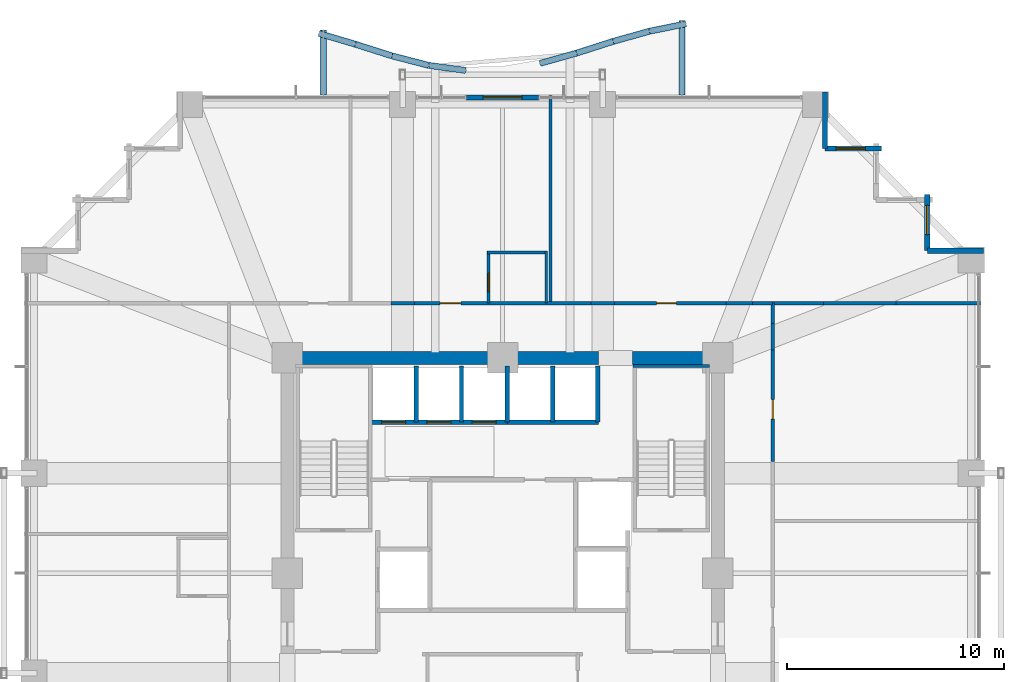
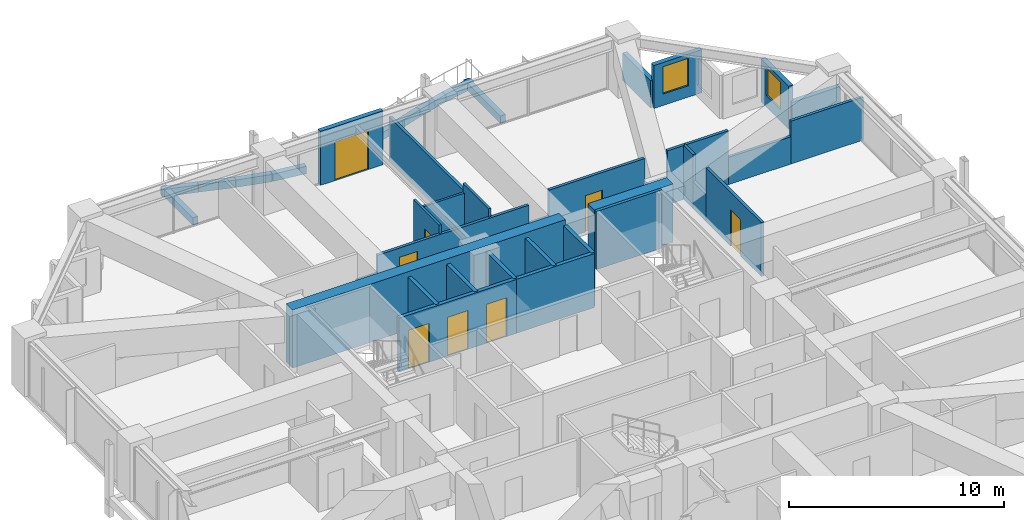
# One storey, part 34 of 37: 41 walls, 8 doors, 2 windows, 10 openings.
"""IFC4 building model written with IfcOpenShell, lengths in metres."""

from ifc_helpers import new_model, si_unit, direction, frame, frame_2d, origin, place, context, subcontext, project, spatial, rectangle, extrude, material, layer, layer_set, type_object, element, fill, save


model = new_model("IFC4")

# Units and contexts
model_context = context("Model", 3, precision=1e-05, world=origin(), true_north=direction((0.0, 1.0)))
body_context = subcontext(model_context, "Body", "Model", "MODEL_VIEW")
ifc_project = project(units=[si_unit("LENGTHUNIT", "METRE"), si_unit("AREAUNIT", "SQUARE_METRE"), si_unit("VOLUMEUNIT", "CUBIC_METRE"), si_unit("PLANEANGLEUNIT", "RADIAN"), si_unit("MASSUNIT", "GRAM", prefix="KILO")], contexts=[model_context])

# Site, building, storey
site_placement = place(None, origin())
site = spatial("IfcSite", under=ifc_project, at=site_placement, CompositionType="ELEMENT")
building_placement = place(site_placement, origin())
building = spatial("IfcBuilding", under=site, at=building_placement, Name="Kolvaren Belvedere", CompositionType="ELEMENT")
storey_placement = place(building_placement, frame((0.0, 0.0, 43.60009765625)))
storey = spatial("IfcBuildingStorey", under=building, at=storey_placement, Name="L12", CompositionType="ELEMENT", Elevation=43.60009765625)

# Walls
ifc_material_1 = material(Name="Concrete C60/75", Category="concrete")
ifc_layer_1 = layer(ifc_material_1, 0.60009765625)
ifc_layer_set_1 = layer_set([ifc_layer_1], Name="Concrete C60/75")
wall_type_1 = type_object("IfcWallType", Name="CW-CORE-600", PredefinedType="SHEAR", material=ifc_layer_set_1)
wall_1_placement = place(storey_placement, frame((-10.199951171875, 9.89990234375, 0.0), z_axis=(0.0, 0.0, 1.0), x_axis=(1.0, 0.0, 0.0)))
element("IfcWall", 1, at=wall_1_placement, inside=storey, type_object=wall_type_1, Name="L12 North Core Shear Wall 1", PredefinedType="SHEAR", context=body_context, shape_type="SweptSolid", body=[
    extrude(rectangle(XDim=14.619873046875, YDim=0.60009765625, at=frame_2d((7.31005859375, 0.0))), origin(), (0.0, 0.0, 1.0), 3.2998046875),
])
wall_2_placement = place(storey_placement, frame((5.97998046875, 9.89990234375, 0.0), z_axis=(0.0, 0.0, 1.0), x_axis=(1.0, 0.0, 0.0)))
element("IfcWall", 2, at=wall_2_placement, inside=storey, type_object=wall_type_1, Name="L12 North Core Shear Wall 2", PredefinedType="SHEAR", context=body_context, shape_type="SweptSolid", body=[
    extrude(rectangle(XDim=4.219970703125, YDim=0.60009765625, at=frame_2d((2.10986328125, 0.0))), origin(), (0.0, 0.0, 1.0), 3.2998046875),
])
ifc_material_2 = material(Name="Concrete C50/60", Category="concrete")
ifc_layer_2 = layer(ifc_material_2, 0.159912109375)
ifc_layer_set_2 = layer_set([ifc_layer_2], Name="Concrete C50/60")
wall_type_2 = type_object("IfcWallType", Name="CW-STAIR-160", PredefinedType="SHEAR", material=ifc_layer_set_2)
wall_3_placement = place(storey_placement, frame((6.0, 9.530029296875, 0.0), z_axis=(0.0, 0.0, 1.0), x_axis=(1.0, 0.0, 0.0)))
element("IfcWall", 3, at=wall_3_placement, inside=storey, type_object=wall_type_2, Name="L12 Stair ST-2 North Shear Wall", PredefinedType="SHEAR", context=body_context, shape_type="SweptSolid", body=[
    extrude(rectangle(XDim=3.52001953125, YDim=0.159912109375, at=frame_2d((1.760009765625, 0.0))), origin(), (0.0, 0.0, 1.0), 3.2998046875),
])
ifc_material_3 = material(Name="Gypsum fire-rated partition assembly", Category="gypsum")
ifc_layer_3 = layer(ifc_material_3, 0.14990234375)
ifc_layer_set_3 = layer_set([ifc_layer_3], Name="Gypsum fire-rated partition assembly")
wall_type_3 = type_object("IfcWallType", Name="WL-CORR-150", PredefinedType="PARTITIONING", material=ifc_layer_set_3)
wall_4_placement = place(storey_placement, frame((-5.14208984375, 12.419921875, 0.0), z_axis=(0.0, 0.0, 1.0), x_axis=(1.0, 0.0, 0.0)))
element("IfcWall", 4, at=wall_4_placement, inside=storey, type_object=wall_type_3, Name="L12 North Corridor Wall", PredefinedType="PARTITIONING", context=body_context, shape_type="SweptSolid", body=[
    extrude(rectangle(XDim=1.083984375, YDim=0.14990234375, at=frame_2d((0.5419921875, 0.0))), origin(), (0.0, 0.0, 1.0), 1.544921875),
])

# Wall, opening, door
wall_5_placement = place(storey_placement, frame((-4.05810546875, 12.419921875, 0.0), z_axis=(0.0, 0.0, 1.0), x_axis=(1.0, 0.0, 0.0)))
wall_5 = element("IfcWall", 5, at=wall_5_placement, inside=storey, type_object=wall_type_3, Name="L12 North Corridor Wall", PredefinedType="PARTITIONING", context=body_context, shape_type="SweptSolid", body=[
    extrude(rectangle(XDim=8.1162109375, YDim=0.14990234375, at=frame_2d((4.05810546875, 0.0))), origin(), (0.0, 0.0, 1.0), 2.5849609375),
])
opening_1_placement = place(wall_5_placement, frame((1.185546875, 0.0, 0.0)))
opening_1 = element("IfcOpeningElement", 6, at=opening_1_placement, cuts=wall_5, Name="Opening D-FD60", PredefinedType="OPENING", context=body_context, shape_type="SweptSolid", body=[
    extrude(rectangle(XDim=0.949951171875, YDim=2.06005859375, at=frame_2d((0.47509765625, 1.030029296875))), frame((0.0, 0.0849609375, 0.0), z_axis=(0.0, -1.0, 0.0), x_axis=(1.0, 0.0, 0.0)), (0.0, 0.0, 1.0), 0.169921875),
])
ifc_material_4 = material(Name="Acoustic white-oak fire door leaf", Category="timber")
door_type_1 = type_object("IfcDoorType", Name="DR-FD60-950", OperationType="NOTDEFINED", PredefinedType="DOOR", material=ifc_material_4)
door_1_placement = place(opening_1_placement, origin())
door_1 = element("IfcDoor", 7, at=door_1_placement, inside=storey, type_object=door_type_1, Name="L12 Botanical Hospitality Suite 1211 Entry Door", OperationType="SINGLE_SWING_RIGHT", OverallHeight=2.06005859375, OverallWidth=0.949951171875, PredefinedType="DOOR", context=body_context, shape_type="SweptSolid", body=[
    extrude(rectangle(XDim=0.949951171875, YDim=2.06005859375, at=frame_2d((0.47509765625, 1.030029296875))), frame((0.0, 0.02490234375, 0.0), z_axis=(0.0, -1.0, 0.0), x_axis=(1.0, 0.0, 0.0)), (0.0, 0.0, 1.0), 0.050048828125),
])
fill(opening_1, door_1)

# Wall
wall_6_placement = place(storey_placement, frame((4.05810546875, 12.419921875, 0.0), z_axis=(0.0, 0.0, 1.0), x_axis=(1.0, 0.0, 0.0)))
element("IfcWall", 8, at=wall_6_placement, inside=storey, type_object=wall_type_3, Name="L12 North Corridor Wall", PredefinedType="PARTITIONING", context=body_context, shape_type="SweptSolid", body=[
    extrude(rectangle(XDim=1.083984375, YDim=0.14990234375, at=frame_2d((0.5419921875, 0.0))), origin(), (0.0, 0.0, 1.0), 1.544921875),
])

# Wall, opening, door
wall_7_placement = place(storey_placement, frame((5.14208984375, 12.419921875, 0.0), z_axis=(0.0, 0.0, 1.0), x_axis=(1.0, 0.0, 0.0)))
wall_7 = element("IfcWall", 9, at=wall_7_placement, inside=storey, type_object=wall_type_3, Name="L12 North Corridor Wall", PredefinedType="PARTITIONING", context=body_context, shape_type="SweptSolid", body=[
    extrude(rectangle(XDim=5.118896484375, YDim=0.14990234375, at=frame_2d((2.5595703125, 0.0))), origin(), (0.0, 0.0, 1.0), 3.059814453125),
])
opening_2_placement = place(wall_7_placement, frame((1.943115234375, 0.0, 0.0)))
opening_2 = element("IfcOpeningElement", 10, at=opening_2_placement, cuts=wall_7, Name="Opening D-INT90", PredefinedType="OPENING", context=body_context, shape_type="SweptSolid", body=[
    extrude(rectangle(XDim=0.89990234375, YDim=2.06005859375, at=frame_2d((0.449951171875, 1.030029296875))), frame((0.0, 0.0849609375, 0.0), z_axis=(0.0, -1.0, 0.0), x_axis=(1.0, 0.0, 0.0)), (0.0, 0.0, 1.0), 0.169921875),
])
ifc_material_5 = material(Name="Stained Pacific white oak", Category="timber")
door_type_2 = type_object("IfcDoorType", Name="DR-INT-900", OperationType="NOTDEFINED", PredefinedType="DOOR", material=ifc_material_5)
door_2_placement = place(opening_2_placement, origin())
door_2 = element("IfcDoor", 11, at=door_2_placement, inside=storey, type_object=door_type_2, Name="L12 Lounge 1212 Door", OperationType="SINGLE_SWING_LEFT", OverallHeight=2.06005859375, OverallWidth=0.89990234375, PredefinedType="DOOR", context=body_context, shape_type="SweptSolid", body=[
    extrude(rectangle(XDim=0.89990234375, YDim=2.06005859375, at=frame_2d((0.449951171875, 1.030029296875))), frame((0.0, 0.02490234375, 0.0), z_axis=(0.0, -1.0, 0.0), x_axis=(1.0, 0.0, 0.0)), (0.0, 0.0, 1.0), 0.050048828125),
])
fill(opening_2, door_2)

# Walls
wall_8_placement = place(storey_placement, frame((10.260986328125, 12.419921875, 0.0), z_axis=(0.0, 0.0, 1.0), x_axis=(1.0, 0.0, 0.0)))
element("IfcWall", 12, at=wall_8_placement, inside=storey, type_object=wall_type_3, Name="L12 North Corridor Wall", PredefinedType="PARTITIONING", context=body_context, shape_type="SweptSolid", body=[
    extrude(rectangle(XDim=1.224853515625, YDim=0.14990234375, at=frame_2d((0.6123046875, 0.0))), origin(), (0.0, 0.0, 1.0), 1.544921875),
])
wall_9_placement = place(storey_placement, frame((11.48583984375, 12.419921875, 0.0), z_axis=(0.0, 0.0, 1.0), x_axis=(1.0, 0.0, 0.0)))
element("IfcWall", 13, at=wall_9_placement, inside=storey, type_object=wall_type_3, Name="L12 North Corridor Wall", PredefinedType="PARTITIONING", context=body_context, shape_type="SweptSolid", body=[
    extrude(rectangle(XDim=0.93408203125, YDim=0.14990234375, at=frame_2d((0.467041015625, 0.0))), origin(), (0.0, 0.0, 1.0), 3.059814453125),
])

# Wall, opening, door
wall_10_placement = place(storey_placement, frame((12.419921875, 5.14208984375, 0.0), z_axis=(0.0, 0.0, 1.0), x_axis=(0.0, 1.0, 0.0)))
wall_10 = element("IfcWall", 14, at=wall_10_placement, inside=storey, type_object=wall_type_3, Name="L12 East Corridor Wall", PredefinedType="PARTITIONING", context=body_context, shape_type="SweptSolid", body=[
    extrude(rectangle(XDim=5.118896484375, YDim=0.14990234375, at=frame_2d((2.5595703125, 0.0))), origin(), (0.0, 0.0, 1.0), 3.059814453125),
])
opening_3_placement = place(wall_10_placement, frame((1.943115234375, 0.0, 0.0)))
opening_3 = element("IfcOpeningElement", 15, at=opening_3_placement, cuts=wall_10, Name="Opening D-INT90", PredefinedType="OPENING", context=body_context, shape_type="SweptSolid", body=[
    extrude(rectangle(XDim=0.89990234375, YDim=2.06005859375, at=frame_2d((0.449951171875, 1.030029296875))), frame((0.0, 0.0849609375, 0.0), z_axis=(0.0, -1.0, 0.0), x_axis=(1.0, 0.0, 0.0)), (0.0, 0.0, 1.0), 0.169921875),
])
door_3_placement = place(opening_3_placement, origin())
door_3 = element("IfcDoor", 16, at=door_3_placement, inside=storey, type_object=door_type_2, Name="L12 Lounge 1206 Door", OperationType="SINGLE_SWING_LEFT", OverallHeight=2.06005859375, OverallWidth=0.89990234375, PredefinedType="DOOR", context=body_context, shape_type="SweptSolid", body=[
    extrude(rectangle(XDim=0.89990234375, YDim=2.06005859375, at=frame_2d((0.449951171875, 1.030029296875))), frame((0.0, 0.02490234375, 0.0), z_axis=(0.0, -1.0, 0.0), x_axis=(1.0, 0.0, 0.0)), (0.0, 0.0, 1.0), 0.050048828125),
])
fill(opening_3, door_3)

# Walls
wall_11_placement = place(storey_placement, frame((12.419921875, 10.260986328125, 0.0), z_axis=(0.0, 0.0, 1.0), x_axis=(0.0, 1.0, 0.0)))
element("IfcWall", 17, at=wall_11_placement, inside=storey, type_object=wall_type_3, Name="L12 East Corridor Wall", PredefinedType="PARTITIONING", context=body_context, shape_type="SweptSolid", body=[
    extrude(rectangle(XDim=1.224853515625, YDim=0.14990234375, at=frame_2d((0.6123046875, 0.0))), origin(), (0.0, 0.0, 1.0), 1.544921875),
])
wall_12_placement = place(storey_placement, frame((12.419921875, 11.48583984375, 0.0), z_axis=(0.0, 0.0, 1.0), x_axis=(0.0, 1.0, 0.0)))
element("IfcWall", 18, at=wall_12_placement, inside=storey, type_object=wall_type_3, Name="L12 East Corridor Wall", PredefinedType="PARTITIONING", context=body_context, shape_type="SweptSolid", body=[
    extrude(rectangle(XDim=0.93408203125, YDim=0.14990234375, at=frame_2d((0.467041015625, 0.0))), origin(), (0.0, 0.0, 1.0), 3.059814453125),
])
ifc_material_6 = material(Name="Insulated pale-metal facade wall assembly", Category="aluminium")
ifc_layer_4 = layer(ifc_material_6, 0.239990234375)
ifc_layer_set_4 = layer_set([ifc_layer_4], Name="Insulated pale-metal facade wall assembly")
wall_type_4 = type_object("IfcWallType", Name="WL-EXT-240", PredefinedType="STANDARD", material=ifc_layer_set_4)
wall_13_placement = place(storey_placement, frame((19.530029296875, 14.830078125, 0.0), z_axis=(0.0, 0.0, 1.0), x_axis=(1.0, 0.0, 0.0)))
element("IfcWall", 19, at=wall_13_placement, inside=storey, type_object=wall_type_4, Name="L12 Serrated Corner Facade Wall 9", PredefinedType="STANDARD", context=body_context, shape_type="SweptSolid", body=[
    extrude(rectangle(XDim=2.590087890625, YDim=0.239990234375, at=frame_2d((1.294921875, 0.0))), origin(), (0.0, 0.0, 1.0), 1.554931640625),
])

# Wall, opening, window
wall_14_placement = place(storey_placement, frame((19.530029296875, 17.419921875, 0.0), z_axis=(0.0, 0.0, 1.0), x_axis=(0.0, -1.0, 0.0)))
wall_14 = element("IfcWall", 20, at=wall_14_placement, inside=storey, type_object=wall_type_4, Name="L12 Serrated Corner Facade Wall 10", PredefinedType="STANDARD", context=body_context, shape_type="SweptSolid", body=[
    extrude(rectangle(XDim=2.58984375, YDim=0.239990234375, at=frame_2d((1.294921875, 0.0))), origin(), (0.0, 0.0, 1.0), 2.43896484375),
])
opening_4_placement = place(wall_14_placement, frame((0.5, 0.0, 0.64990234375)))
opening_4 = element("IfcOpeningElement", 21, at=opening_4_placement, cuts=wall_14, Name="Opening W-1350", PredefinedType="OPENING", context=body_context, shape_type="SweptSolid", body=[
    extrude(rectangle(XDim=1.35009765625, YDim=1.550048828125, at=frame_2d((0.675048828125, 0.77490234375))), frame((0.0, 0.1298828125, 0.0), z_axis=(0.0, -1.0, 0.0), x_axis=(1.0, 0.0, 0.0)), (0.0, 0.0, 1.0), 0.260009765625),
])
ifc_material_7 = material(Name="Low-iron triple insulated glass", Category="glass")
window_type = type_object("IfcWindowType", Name="WN-CORN-1350", PartitioningType="SINGLE_PANEL", PredefinedType="WINDOW", material=ifc_material_7)
window_1_placement = place(opening_4_placement, origin())
window_1 = element("IfcWindow", 22, at=window_1_placement, inside=storey, type_object=window_type, Name="L12 Serrated Corner Vision Window 10", OverallHeight=1.550048828125, OverallWidth=1.35009765625, PartitioningType="SINGLE_PANEL", PredefinedType="WINDOW", context=body_context, shape_type="SweptSolid", body=[
    extrude(rectangle(XDim=1.35009765625, YDim=1.550048828125, at=frame_2d((0.675048828125, 0.77490234375))), frame((0.0, 0.030029296875, 0.0), z_axis=(0.0, -1.0, 0.0), x_axis=(1.0, 0.0, 0.0)), (0.0, 0.0, 1.0), 0.06005859375),
])
fill(opening_4, window_1)

wall_15_placement = place(storey_placement, frame((14.830078125, 19.530029296875, 0.0), z_axis=(0.0, 0.0, 1.0), x_axis=(1.0, 0.0, 0.0)))
wall_15 = element("IfcWall", 23, at=wall_15_placement, inside=storey, type_object=wall_type_4, Name="L12 Serrated Corner Facade Wall 13", PredefinedType="STANDARD", context=body_context, shape_type="SweptSolid", body=[
    extrude(rectangle(XDim=2.58984375, YDim=0.239990234375, at=frame_2d((1.294921875, 0.0))), origin(), (0.0, 0.0, 1.0), 2.43896484375),
])
opening_5_placement = place(wall_15_placement, frame((0.5, 0.0, 0.64990234375)))
opening_5 = element("IfcOpeningElement", 24, at=opening_5_placement, cuts=wall_15, Name="Opening W-1350", PredefinedType="OPENING", context=body_context, shape_type="SweptSolid", body=[
    extrude(rectangle(XDim=1.35009765625, YDim=1.550048828125, at=frame_2d((0.675048828125, 0.77490234375))), frame((0.0, 0.1298828125, 0.0), z_axis=(0.0, -1.0, 0.0), x_axis=(1.0, 0.0, 0.0)), (0.0, 0.0, 1.0), 0.260009765625),
])
window_2_placement = place(opening_5_placement, origin())
window_2 = element("IfcWindow", 25, at=window_2_placement, inside=storey, type_object=window_type, Name="L12 Serrated Corner Vision Window 13", OverallHeight=1.550048828125, OverallWidth=1.35009765625, PartitioningType="SINGLE_PANEL", PredefinedType="WINDOW", context=body_context, shape_type="SweptSolid", body=[
    extrude(rectangle(XDim=1.35009765625, YDim=1.550048828125, at=frame_2d((0.675048828125, 0.77490234375))), frame((0.0, 0.030029296875, 0.0), z_axis=(0.0, -1.0, 0.0), x_axis=(1.0, 0.0, 0.0)), (0.0, 0.0, 1.0), 0.06005859375),
])
fill(opening_5, window_2)

# Wall
wall_16_placement = place(storey_placement, frame((14.830078125, 22.1201171875, 0.0), z_axis=(0.0, 0.0, 1.0), x_axis=(0.0, -1.0, 0.0)))
element("IfcWall", 26, at=wall_16_placement, inside=storey, type_object=wall_type_4, Name="L12 Serrated Corner Facade Wall 14", PredefinedType="STANDARD", context=body_context, shape_type="SweptSolid", body=[
    extrude(rectangle(XDim=2.590087890625, YDim=0.239990234375, at=frame_2d((1.294921875, 0.0))), origin(), (0.0, 0.0, 1.0), 1.554931640625),
])

# Wall, opening, door
wall_17_placement = place(storey_placement, frame((-1.679931640625, 21.8798828125, 0.0), z_axis=(0.0, 0.0, 1.0), x_axis=(1.0, 0.0, 0.0)))
wall_17 = element("IfcWall", 27, at=wall_17_placement, inside=storey, type_object=wall_type_4, Name="L12 North Terrace Portal Wall", PredefinedType="STANDARD", context=body_context, shape_type="SweptSolid", body=[
    extrude(rectangle(XDim=3.35986328125, YDim=0.239990234375, at=frame_2d((1.679931640625, 0.0))), origin(), (0.0, 0.0, 1.0), 3.059814453125),
])
opening_6_placement = place(wall_17_placement, frame((0.780029296875, 0.0, 0.0)))
opening_6 = element("IfcOpeningElement", 28, at=opening_6_placement, cuts=wall_17, Name="Opening DB-1800", PredefinedType="OPENING", context=body_context, shape_type="SweptSolid", body=[
    extrude(rectangle(XDim=1.800048828125, YDim=2.199951171875, at=frame_2d((0.89990234375, 1.10009765625))), frame((0.0, 0.1298828125, 0.0), z_axis=(0.0, -1.0, 0.0), x_axis=(1.0, 0.0, 0.0)), (0.0, 0.0, 1.0), 0.260009765625),
])
ifc_material_8 = material(Name="Thermally broken pale-metal aluminium & low-iron glass", Category="aluminium")
door_type_3 = type_object("IfcDoorType", Name="DR-BAL-1800", OperationType="DOUBLE_DOOR_SLIDING", PredefinedType="DOOR", material=ifc_material_8)
door_4_placement = place(opening_6_placement, origin())
door_4 = element("IfcDoor", 29, at=door_4_placement, inside=storey, type_object=door_type_3, Name="L12 North Planted Terrace Sliding Door", OperationType="DOUBLE_DOOR_SLIDING", OverallHeight=2.199951171875, OverallWidth=1.800048828125, PredefinedType="DOOR", context=body_context, shape_type="SweptSolid", body=[
    extrude(rectangle(XDim=1.800048828125, YDim=2.199951171875, at=frame_2d((0.89990234375, 1.10009765625))), frame((0.0, 0.02490234375, 0.0), z_axis=(0.0, -1.0, 0.0), x_axis=(1.0, 0.0, 0.0)), (0.0, 0.0, 1.0), 0.050048828125),
])
fill(opening_6, door_4)

# Walls
ifc_material_9 = material(Name="Gypsum acoustic partition assembly", Category="gypsum")
ifc_layer_5 = layer(ifc_material_9, 0.14990234375)
ifc_layer_set_5 = layer_set([ifc_layer_5], Name="Gypsum acoustic partition assembly")
wall_type_5 = type_object("IfcWallType", Name="WL-PART-150", PredefinedType="PARTITIONING", material=ifc_layer_set_5)
wall_18_placement = place(storey_placement, frame((12.419921875, 12.419921875, 0.0), z_axis=(0.0, 0.0, 1.0), x_axis=(1.0, 0.0, 0.0)))
element("IfcWall", 30, at=wall_18_placement, inside=storey, type_object=wall_type_5, Name="L12 Wing Divider PW-L12-QNE", PredefinedType="PARTITIONING", context=body_context, shape_type="SweptSolid", body=[
    extrude(rectangle(XDim=2.327880859375, YDim=0.14990234375, at=frame_2d((1.1640625, 0.0))), origin(), (0.0, 0.0, 1.0), 3.059814453125),
])
wall_19_placement = place(storey_placement, frame((14.747802734375, 12.419921875, 0.0), z_axis=(0.0, 0.0, 1.0), x_axis=(1.0, 0.0, 0.0)))
element("IfcWall", 31, at=wall_19_placement, inside=storey, type_object=wall_type_5, Name="L12 Wing Divider PW-L12-QNE", PredefinedType="PARTITIONING", context=body_context, shape_type="SweptSolid", body=[
    extrude(rectangle(XDim=3.352294921875, YDim=0.14990234375, at=frame_2d((1.67626953125, 0.0))), origin(), (0.0, 0.0, 1.0), 1.544921875),
])
wall_20_placement = place(storey_placement, frame((18.10009765625, 12.419921875, 0.0), z_axis=(0.0, 0.0, 1.0), x_axis=(1.0, 0.0, 0.0)))
element("IfcWall", 32, at=wall_20_placement, inside=storey, type_object=wall_type_5, Name="L12 Wing Divider PW-L12-QNE", PredefinedType="PARTITIONING", context=body_context, shape_type="SweptSolid", body=[
    extrude(rectangle(XDim=3.8798828125, YDim=0.14990234375, at=frame_2d((1.93994140625, 0.0))), origin(), (0.0, 0.0, 1.0), 2.428955078125),
])
wall_21_placement = place(storey_placement, frame((2.199951171875, 12.419921875, 0.0), z_axis=(0.0, 0.0, 1.0), x_axis=(0.0, 1.0, 0.0)))
element("IfcWall", 33, at=wall_21_placement, inside=storey, type_object=wall_type_5, Name="L12 North Suite Demising Wall 2", PredefinedType="PARTITIONING", context=body_context, shape_type="SweptSolid", body=[
    extrude(rectangle(XDim=9.56005859375, YDim=0.14990234375, at=frame_2d((4.780029296875, 0.0))), origin(), (0.0, 0.0, 1.0), 2.428955078125),
])
ifc_material_10 = material(Name="Precast concrete C40/50", Category="concrete")
ifc_layer_6 = layer(ifc_material_10, 0.300048828125)
ifc_layer_set_6 = layer_set([ifc_layer_6], Name="Precast concrete C40/50")
wall_type_6 = type_object("IfcWallType", Name="WL-PLANTER-300", PredefinedType="PARAPET", material=ifc_layer_set_6)
wall_22_placement = place(storey_placement, frame((8.239990234375, 22.0, -0.06005859375), z_axis=(0.0, 0.0, 1.0), x_axis=(0.0, 1.0, 0.0)))
element("IfcWall", 34, at=wall_22_placement, inside=storey, type_object=wall_type_6, Name="L12 Precast Structural Planter Wall BAL-N-11", PredefinedType="PARAPET", context=body_context, shape_type="SweptSolid", body=[
    extrude(rectangle(XDim=3.419921875, YDim=0.280029296875, at=frame_2d((1.7099609375, 0.0))), origin(), (0.0, 0.0, 1.0), 0.419921875),
])
wall_23_placement = place(storey_placement, frame((8.431884765625, 25.26318359375, -0.06005859375), z_axis=(0.0, 0.0, 1.0), x_axis=(-0.980067977123, -0.198662427795, 0.0)))
element("IfcWall", 35, at=wall_23_placement, inside=storey, type_object=wall_type_6, Name="L12 Precast Structural Planter Wall BAL-N-12", PredefinedType="PARAPET", context=body_context, shape_type="SweptSolid", body=[
    extrude(rectangle(XDim=1.71435546875, YDim=0.280029296875, at=frame_2d((0.857177734375, 0.0))), origin(), (0.0, 0.0, 1.0), 0.419921875),
])
wall_24_placement = place(storey_placement, frame((6.76318359375, 24.92529296875, -0.06005859375), z_axis=(0.0, 0.0, 1.0), x_axis=(-0.962916043401, -0.269801210823, 0.0)))
element("IfcWall", 36, at=wall_24_placement, inside=storey, type_object=wall_type_6, Name="L12 Precast Structural Planter Wall BAL-N-13", PredefinedType="PARAPET", context=body_context, shape_type="SweptSolid", body=[
    extrude(rectangle(XDim=1.74462890625, YDim=0.280029296875, at=frame_2d((0.872314453125, 0.0))), origin(), (0.0, 0.0, 1.0), 0.419921875),
])
wall_25_placement = place(storey_placement, frame((5.088623046875, 24.456298828125, -0.06005859375), z_axis=(0.0, 0.0, 1.0), x_axis=(-0.952461105499, -0.304660208284, 0.0)))
element("IfcWall", 37, at=wall_25_placement, inside=storey, type_object=wall_type_6, Name="L12 Precast Structural Planter Wall BAL-N-14", PredefinedType="PARAPET", context=body_context, shape_type="SweptSolid", body=[
    extrude(rectangle(XDim=1.763671875, YDim=0.280029296875, at=frame_2d((0.8818359375, 0.0))), origin(), (0.0, 0.0, 1.0), 0.419921875),
])
wall_26_placement = place(storey_placement, frame((3.4033203125, 23.917236328125, -0.06005859375), z_axis=(0.0, 0.0, 1.0), x_axis=(-0.962926227834, -0.269764860108, 0.0)))
element("IfcWall", 38, at=wall_26_placement, inside=storey, type_object=wall_type_6, Name="L12 Precast Structural Planter Wall BAL-N-15", PredefinedType="PARAPET", context=body_context, shape_type="SweptSolid", body=[
    extrude(rectangle(XDim=1.744873046875, YDim=0.280029296875, at=frame_2d((0.87255859375, 0.0))), origin(), (0.0, 0.0, 1.0), 0.419921875),
])
wall_27_placement = place(storey_placement, frame((-1.70166015625, 23.12060546875, -0.06005859375), z_axis=(0.0, 0.0, 1.0), x_axis=(-0.990855562068, 0.134926850989, 0.0)))
element("IfcWall", 39, at=wall_27_placement, inside=storey, type_object=wall_type_6, Name="L12 Precast Structural Planter Wall BAL-N-18", PredefinedType="PARAPET", context=body_context, shape_type="SweptSolid", body=[
    extrude(rectangle(XDim=1.695556640625, YDim=0.280029296875, at=frame_2d((0.84765625, 0.0))), origin(), (0.0, 0.0, 1.0), 0.419921875),
])
wall_28_placement = place(storey_placement, frame((-3.400146484375, 23.352783203125, -0.06005859375), z_axis=(0.0, 0.0, 1.0), x_axis=(-0.968098088289, 0.25057152961, 0.0)))
element("IfcWall", 40, at=wall_28_placement, inside=storey, type_object=wall_type_6, Name="L12 Precast Structural Planter Wall BAL-N-19", PredefinedType="PARAPET", context=body_context, shape_type="SweptSolid", body=[
    extrude(rectangle(XDim=1.7353515625, YDim=0.280029296875, at=frame_2d((0.86767578125, 0.0))), origin(), (0.0, 0.0, 1.0), 0.419921875),
])
wall_29_placement = place(storey_placement, frame((-5.08837890625, 23.789794921875, -0.06005859375), z_axis=(0.0, 0.0, 1.0), x_axis=(-0.953142020151, 0.302523204768, 0.0)))
element("IfcWall", 41, at=wall_29_placement, inside=storey, type_object=wall_type_6, Name="L12 Precast Structural Planter Wall BAL-N-20", PredefinedType="PARAPET", context=body_context, shape_type="SweptSolid", body=[
    extrude(rectangle(XDim=1.762451171875, YDim=0.280029296875, at=frame_2d((0.88134765625, 0.0))), origin(), (0.0, 0.0, 1.0), 0.419921875),
])
wall_30_placement = place(storey_placement, frame((-6.765625, 24.322021484375, -0.06005859375), z_axis=(0.0, 0.0, 1.0), x_axis=(-0.95856309129, 0.284880325779, 0.0)))
element("IfcWall", 42, at=wall_30_placement, inside=storey, type_object=wall_type_6, Name="L12 Precast Structural Planter Wall BAL-N-21", PredefinedType="PARAPET", context=body_context, shape_type="SweptSolid", body=[
    extrude(rectangle(XDim=1.75244140625, YDim=0.280029296875, at=frame_2d((0.876220703125, 0.0))), origin(), (0.0, 0.0, 1.0), 0.419921875),
])
wall_31_placement = place(storey_placement, frame((-8.239990234375, 24.974853515625, -0.06005859375), z_axis=(0.0, 0.0, 1.0), x_axis=(0.0, -1.0, 0.0)))
element("IfcWall", 43, at=wall_31_placement, inside=storey, type_object=wall_type_6, Name="L12 Precast Structural Planter Wall BAL-N-22", PredefinedType="PARAPET", context=body_context, shape_type="SweptSolid", body=[
    extrude(rectangle(XDim=2.974853515625, YDim=0.280029296875, at=frame_2d((1.4873046875, 0.0))), origin(), (0.0, 0.0, 1.0), 0.419921875),
])

# Wall, openings, doors
ifc_material_11 = material(Name="Concrete C50/60", Category="concrete")
ifc_layer_7 = layer(ifc_material_11, 0.199951171875)
ifc_layer_set_7 = layer_set([ifc_layer_7], Name="Concrete C50/60")
wall_type_7 = type_object("IfcWallType", Name="WL-SHAFT-200", PredefinedType="SOLIDWALL", material=ifc_layer_set_7)
wall_32_placement = place(storey_placement, frame((-6.080078125, 6.949951171875, 0.0), z_axis=(0.0, 0.0, 1.0), x_axis=(1.0, 0.0, 0.0)))
wall_32 = element("IfcWall", 44, at=wall_32_placement, inside=storey, type_object=wall_type_7, Name="L12 Low-Rise Lift Bank Front Wall", PredefinedType="SOLIDWALL", context=body_context, shape_type="SweptSolid", body=[
    extrude(rectangle(XDim=6.300048828125, YDim=0.199951171875, at=frame_2d((3.14990234375, 0.0))), origin(), (0.0, 0.0, 1.0), 3.059814453125),
])
opening_7_placement = place(wall_32_placement, frame((0.52001953125, 0.0, 0.0)))
opening_7 = element("IfcOpeningElement", 45, at=opening_7_placement, cuts=wall_32, Name="Opening LD-11", PredefinedType="OPENING", context=body_context, shape_type="SweptSolid", body=[
    extrude(rectangle(XDim=1.10009765625, YDim=2.199951171875, at=frame_2d((0.550048828125, 1.10009765625))), frame((0.0, 0.10986328125, 0.0), z_axis=(0.0, -1.0, 0.0), x_axis=(1.0, 0.0, 0.0)), (0.0, 0.0, 1.0), 0.219970703125),
])
opening_8_placement = place(wall_32_placement, frame((2.60009765625, 0.0, 0.0)))
opening_8 = element("IfcOpeningElement", 46, at=opening_8_placement, cuts=wall_32, Name="Opening LD-11", PredefinedType="OPENING", context=body_context, shape_type="SweptSolid", body=[
    extrude(rectangle(XDim=1.10009765625, YDim=2.199951171875, at=frame_2d((0.550048828125, 1.10009765625))), frame((0.0, 0.10986328125, 0.0), z_axis=(0.0, -1.0, 0.0), x_axis=(1.0, 0.0, 0.0)), (0.0, 0.0, 1.0), 0.219970703125),
])
opening_9_placement = place(wall_32_placement, frame((4.679931640625, 0.0, 0.0)))
opening_9 = element("IfcOpeningElement", 47, at=opening_9_placement, cuts=wall_32, Name="Opening LD-11", PredefinedType="OPENING", context=body_context, shape_type="SweptSolid", body=[
    extrude(rectangle(XDim=1.10009765625, YDim=2.199951171875, at=frame_2d((0.550048828125, 1.10009765625))), frame((0.0, 0.10986328125, 0.0), z_axis=(0.0, -1.0, 0.0), x_axis=(1.0, 0.0, 0.0)), (0.0, 0.0, 1.0), 0.219970703125),
])
ifc_material_12 = material(Name="Brushed stainless steel", Category="steel")
door_type_4 = type_object("IfcDoorType", Name="DR-LIFT-1100", OperationType="DOUBLE_DOOR_SLIDING", PredefinedType="DOOR", material=ifc_material_12)
door_5_placement = place(opening_7_placement, origin())
door_5 = element("IfcDoor", 48, at=door_5_placement, inside=storey, type_object=door_type_4, Name="L12 Passenger Lift P1 Landing Door", OperationType="DOUBLE_DOOR_SLIDING", OverallHeight=2.199951171875, OverallWidth=1.10009765625, PredefinedType="DOOR", context=body_context, shape_type="SweptSolid", body=[
    extrude(rectangle(XDim=1.10009765625, YDim=2.199951171875, at=frame_2d((0.550048828125, 1.10009765625))), frame((0.0, 0.02490234375, 0.0), z_axis=(0.0, -1.0, 0.0), x_axis=(1.0, 0.0, 0.0)), (0.0, 0.0, 1.0), 0.050048828125),
])
fill(opening_7, door_5)
door_6_placement = place(opening_8_placement, origin())
door_6 = element("IfcDoor", 49, at=door_6_placement, inside=storey, type_object=door_type_4, Name="L12 Passenger Lift P2 Landing Door", OperationType="DOUBLE_DOOR_SLIDING", OverallHeight=2.199951171875, OverallWidth=1.10009765625, PredefinedType="DOOR", context=body_context, shape_type="SweptSolid", body=[
    extrude(rectangle(XDim=1.10009765625, YDim=2.199951171875, at=frame_2d((0.550048828125, 1.10009765625))), frame((0.0, 0.02490234375, 0.0), z_axis=(0.0, -1.0, 0.0), x_axis=(1.0, 0.0, 0.0)), (0.0, 0.0, 1.0), 0.050048828125),
])
fill(opening_8, door_6)
door_7_placement = place(opening_9_placement, origin())
door_7 = element("IfcDoor", 50, at=door_7_placement, inside=storey, type_object=door_type_4, Name="L12 Passenger Lift P3 Landing Door", OperationType="DOUBLE_DOOR_SLIDING", OverallHeight=2.199951171875, OverallWidth=1.10009765625, PredefinedType="DOOR", context=body_context, shape_type="SweptSolid", body=[
    extrude(rectangle(XDim=1.10009765625, YDim=2.199951171875, at=frame_2d((0.550048828125, 1.10009765625))), frame((0.0, 0.02490234375, 0.0), z_axis=(0.0, -1.0, 0.0), x_axis=(1.0, 0.0, 0.0)), (0.0, 0.0, 1.0), 0.050048828125),
])
fill(opening_9, door_7)

# Walls
for number, where, z_axis, x_axis, name in (
    (51, (-3.969970703125, 6.949951171875, 0.0), (0.0, 0.0, 1.0), (0.0, 1.0, 0.0), "L12 Low-Rise Hoistway Divider 1"),
    (52, (-1.889892578125, 6.949951171875, 0.0), (0.0, 0.0, 1.0), (0.0, 1.0, 0.0), "L12 Low-Rise Hoistway Divider 2"),
    (53, (0.2099609375, 6.949951171875, 0.0), (0.0, 0.0, 1.0), (0.0, 1.0, 0.0), "L12 Low-Rise Hoistway Divider 3"),
):
    element("IfcWall", number, at=place(storey_placement, frame(where, z_axis=z_axis, x_axis=x_axis)), inside=storey, type_object=wall_type_7, Name=name, PredefinedType="SOLIDWALL", context=body_context, shape_type="SweptSolid", body=[
        extrude(rectangle(XDim=2.570068359375, YDim=0.199951171875, at=frame_2d((1.28515625, 0.0))), origin(), (0.0, 0.0, 1.0), 3.059814453125),
    ])
wall_33_placement = place(storey_placement, frame((0.219970703125, 6.949951171875, 0.0), z_axis=(0.0, 0.0, 1.0), x_axis=(1.0, 0.0, 0.0)))
element("IfcWall", 54, at=wall_33_placement, inside=storey, type_object=wall_type_7, Name="L12 Express Shuttle Hoistway Wall", PredefinedType="SOLIDWALL", context=body_context, shape_type="SweptSolid", body=[
    extrude(rectangle(XDim=4.179931640625, YDim=0.199951171875, at=frame_2d((2.08984375, 0.0))), origin(), (0.0, 0.0, 1.0), 3.059814453125),
])
for number, where, z_axis, x_axis, name in (
    (55, (4.3798828125, 6.949951171875, 0.0), (0.0, 0.0, 1.0), (0.0, 1.0, 0.0), "L12 Express Shuttle East Wall"),
    (56, (2.31005859375, 6.949951171875, 0.0), (0.0, 0.0, 1.0), (0.0, 1.0, 0.0), "L12 Express Shuttle Divider"),
):
    element("IfcWall", number, at=place(storey_placement, frame(where, z_axis=z_axis, x_axis=x_axis)), inside=storey, type_object=wall_type_7, Name=name, PredefinedType="SOLIDWALL", context=body_context, shape_type="SweptSolid", body=[
        extrude(rectangle(XDim=2.570068359375, YDim=0.199951171875, at=frame_2d((1.28515625, 0.0))), origin(), (0.0, 0.0, 1.0), 3.059814453125),
    ])

# Wall, opening, door
ifc_material_13 = material(Name="Moisture-resistant gypsum partition", Category="gypsum")
ifc_layer_8 = layer(ifc_material_13, 0.125)
ifc_layer_set_8 = layer_set([ifc_layer_8], Name="Moisture-resistant gypsum partition")
wall_type_8 = type_object("IfcWallType", Name="WL-WET-125", PredefinedType="PARTITIONING", material=ifc_layer_set_8)
wall_34_placement = place(storey_placement, frame((-0.64501953125, 12.43505859375, 0.0), z_axis=(0.0, 0.0, 1.0), x_axis=(0.0, 1.0, 0.0)))
wall_34 = element("IfcWall", 57, at=wall_34_placement, inside=storey, type_object=wall_type_8, Name="L12 Bathroom Partition PW-L12-BTH-11-E", PredefinedType="PARTITIONING", context=body_context, shape_type="SweptSolid", body=[
    extrude(rectangle(XDim=2.389892578125, YDim=0.125, at=frame_2d((1.19482421875, 0.0))), origin(), (0.0, 0.0, 1.0), 3.059814453125),
])
opening_10_placement = place(wall_34_placement, frame((0.5, 0.0, 0.0)))
opening_10 = element("IfcOpeningElement", 58, at=opening_10_placement, cuts=wall_34, Name="Opening D-BTH85", PredefinedType="OPENING", context=body_context, shape_type="SweptSolid", body=[
    extrude(rectangle(XDim=0.85009765625, YDim=2.030029296875, at=frame_2d((0.425048828125, 1.01513671875))), frame((0.0, 0.072509765625, 0.0), z_axis=(0.0, -1.0, 0.0), x_axis=(1.0, 0.0, 0.0)), (0.0, 0.0, 1.0), 0.14501953125),
])
ifc_material_14 = material(Name="Moisture-sealed Pacific white oak", Category="timber")
door_type_5 = type_object("IfcDoorType", Name="DR-BATH-850", OperationType="NOTDEFINED", PredefinedType="DOOR", material=ifc_material_14)
door_8_placement = place(opening_10_placement, origin())
door_8 = element("IfcDoor", 59, at=door_8_placement, inside=storey, type_object=door_type_5, Name="L12 En-Suite Bathroom 1211 Door", OperationType="SINGLE_SWING_LEFT", OverallHeight=2.030029296875, OverallWidth=0.85009765625, PredefinedType="DOOR", context=body_context, shape_type="SweptSolid", body=[
    extrude(rectangle(XDim=0.85009765625, YDim=2.030029296875, at=frame_2d((0.425048828125, 1.01513671875))), frame((0.0, 0.02490234375, 0.0), z_axis=(0.0, -1.0, 0.0), x_axis=(1.0, 0.0, 0.0)), (0.0, 0.0, 1.0), 0.050048828125),
])
fill(opening_10, door_8)

# Walls
wall_35_placement = place(storey_placement, frame((-0.705078125, 14.7451171875, 0.0), z_axis=(0.0, 0.0, 1.0), x_axis=(1.0, 0.0, 0.0)))
element("IfcWall", 60, at=wall_35_placement, inside=storey, type_object=wall_type_8, Name="L12 Bathroom Partition PW-L12-BTH-11-H", PredefinedType="PARTITIONING", context=body_context, shape_type="SweptSolid", body=[
    extrude(rectangle(XDim=2.77001953125, YDim=0.125, at=frame_2d((1.385009765625, 0.0))), origin(), (0.0, 0.0, 1.0), 2.5849609375),
])
wall_36_placement = place(storey_placement, frame((2.0048828125, 12.43505859375, 0.0), z_axis=(0.0, 0.0, 1.0), x_axis=(0.0, 1.0, 0.0)))
element("IfcWall", 61, at=wall_36_placement, inside=storey, type_object=wall_type_8, Name="L12 Bathroom Partition PW-L12-BTH-11-W", PredefinedType="PARTITIONING", context=body_context, shape_type="SweptSolid", body=[
    extrude(rectangle(XDim=2.389892578125, YDim=0.125, at=frame_2d((1.19482421875, 0.0))), origin(), (0.0, 0.0, 1.0), 3.059814453125),
])

save(model, "model.ifc")
